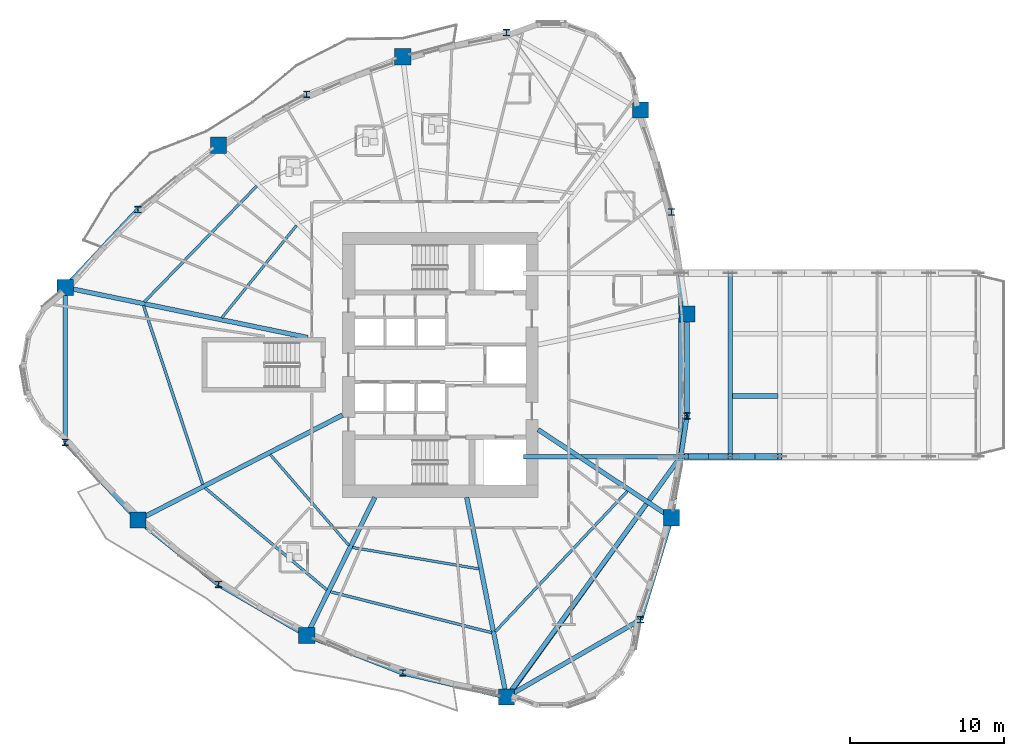
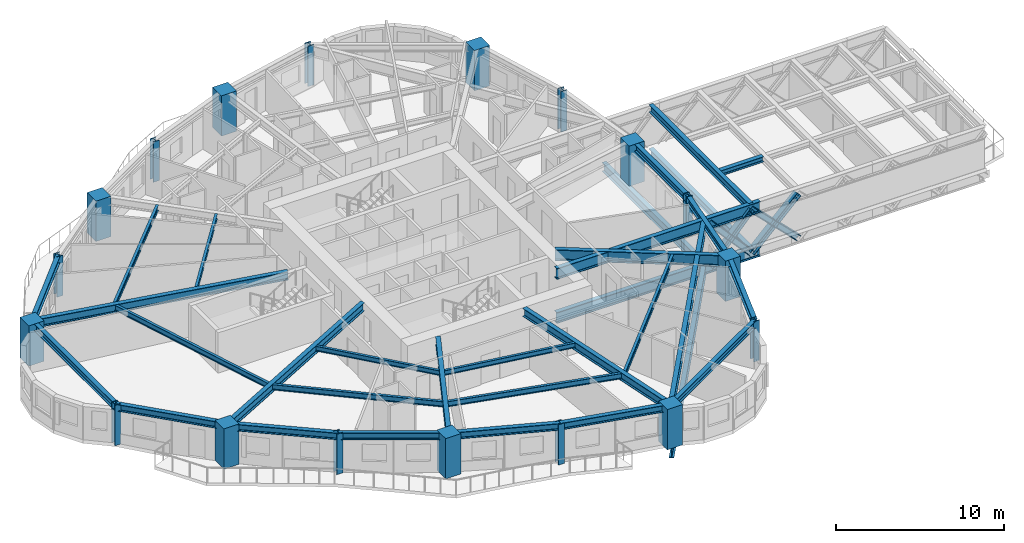
# One storey, part 1 of 18: 31 beams, 18 columns, 5 members.
"""IFC4 building model written with IfcOpenShell, lengths in metres."""

from ifc_helpers import new_model, si_unit, direction, frame, origin, origin_2d, place, context, subcontext, project, spatial, rectangle, i_section, extrude, source, transform, mapped, material, material_profile, profile_set, type_object, element, save


model = new_model("IFC4")

# Units and contexts
model_context = context("Model", 3, precision=1e-05, world=origin(), true_north=direction((0.0, 1.0)))
body_context = subcontext(model_context, "Body", "Model", "MODEL_VIEW")
ifc_project = project(units=[si_unit("LENGTHUNIT", "METRE"), si_unit("AREAUNIT", "SQUARE_METRE"), si_unit("VOLUMEUNIT", "CUBIC_METRE"), si_unit("PLANEANGLEUNIT", "RADIAN"), si_unit("MASSUNIT", "GRAM", prefix="KILO")], contexts=[model_context])

# Site, building, storey
site_placement = place(None, origin())
site = spatial("IfcSite", under=ifc_project, at=site_placement, CompositionType="ELEMENT")
building_placement = place(site_placement, origin())
building = spatial("IfcBuilding", under=site, at=building_placement, Name="Qafzar Sky-Pleat Residences", CompositionType="ELEMENT")
storey_placement = place(building_placement, frame((0.0, 0.0, 27.0)))
storey = spatial("IfcBuildingStorey", under=building, at=storey_placement, Name="L07", CompositionType="ELEMENT", Elevation=27.0)

# Columns
ifc_material_1 = material(Name="Concrete C60/75", Category="concrete")
ifc_material_profile_1 = material_profile(ifc_material_1, rectangle(XDim=1.050048828125, YDim=1.050048828125, at=origin_2d()), Name="RC 1050x1050")
ifc_profile_set_1 = profile_set([ifc_material_profile_1], Name="Concrete C60/75")
column_type_1 = type_object("IfcColumnType", Name="COL-RC-1050", PredefinedType="COLUMN", material=ifc_profile_set_1)
shared_shape_1 = source(origin(), body_context, "Body", "SweptSolid", [
    extrude(rectangle(XDim=1.050048828125, YDim=1.050048828125, at=origin_2d()), origin(), (0.0, 0.0, 1.0), 2.93505859375),
])
for number, where, z_axis, x_axis, name in (
    (1, (6.010009765625, 31.02294921875, 0.0), (0.0, 0.0, 1.0), (1.0, 0.0, 0.0), "L07 Perimeter Mega Column 1"),
    (2, (10.731689453125, 15.9296875, 0.0), (0.0, 0.0, 1.0), (1.0, 0.0, 0.0), "L07 Perimeter Mega Column 3"),
    (3, (21.68310546875, 8.446044921875, 0.0), (0.0, 0.0, 1.0), (1.0, 0.0, 0.0), "L07 Perimeter Mega Column 5"),
    (4, (34.64501953125, 4.444580078125, 0.0), (0.0, 0.0, 1.0), (1.0, 0.0, 0.0), "L07 Perimeter Mega Column 7"),
    (5, (45.355224609375, 16.08056640625, 0.0), (0.0, 0.0, 1.0), (1.0, 0.0, 0.0), "L07 Perimeter Mega Column 9"),
    (6, (46.360595703125, 29.306396484375, 0.0), (0.0, 0.0, 1.0), (1.0, 0.0, 0.0), "L07 Perimeter Mega Column 11"),
    (7, (43.344970703125, 42.532470703125, 0.0), (0.0, 0.0, 1.0), (1.0, 0.0, 0.0), "L07 Perimeter Mega Column 13"),
    (8, (27.912841796875, 45.989990234375, 0.0), (0.0, 0.0, 1.0), (1.0, 0.0, 0.0), "L07 Perimeter Mega Column 15"),
    (9, (15.956298828125, 40.247314453125, 0.0), (0.0, 0.0, 1.0), (1.0, 0.0, 0.0), "L07 Perimeter Mega Column 17"),
):
    element("IfcColumn", number, at=place(storey_placement, frame(where, z_axis=z_axis, x_axis=x_axis)), inside=storey, type_object=column_type_1, Name=name, PredefinedType="COLUMN", context=body_context, shape_type="MappedRepresentation", body=[
        mapped(shared_shape_1, transform((0.0, 0.0, 0.0), x_axis=(1.0, 0.0, 0.0), y_axis=(0.0, 1.0, 0.0), z_axis=(0.0, 0.0, 1.0), scale=1.0)),
    ])
ifc_material_2 = material(Name="Steel S460", Category="steel")
ifc_material_profile_2 = material_profile(ifc_material_2, i_section(OverallWidth=0.408935546875, OverallDepth=0.425048828125, WebThickness=0.030029296875, FlangeThickness=0.048095703125, FilletRadius=0.014892578125, at=origin_2d()), Name="HD 400x421")
ifc_profile_set_2 = profile_set([ifc_material_profile_2], Name="Steel S460")
column_type_2 = type_object("IfcColumnType", Name="COL-STL-HD421", PredefinedType="PILASTER", material=ifc_profile_set_2)
shared_shape_2 = source(origin(), body_context, "Body", "SweptSolid", [
    extrude(i_section(OverallWidth=0.408935546875, OverallDepth=0.425048828125, WebThickness=0.030029296875, FlangeThickness=0.048095703125, FilletRadius=0.014892578125, at=origin_2d()), origin(), (0.0, 0.0, 1.0), 2.93505859375),
])
for number, where, z_axis, x_axis, name in (
    (10, (6.010009765625, 20.97705078125, 0.0), (0.0, 0.0, 1.0), (1.0, 0.0, 0.0), "L07 Perimeter Mega Column 2"),
    (11, (15.956298828125, 11.752685546875, 0.0), (0.0, 0.0, 1.0), (1.0, 0.0, 0.0), "L07 Perimeter Mega Column 4"),
    (12, (27.912841796875, 6.010009765625, 0.0), (0.0, 0.0, 1.0), (1.0, 0.0, 0.0), "L07 Perimeter Mega Column 6"),
    (13, (43.344970703125, 9.467529296875, 0.0), (0.0, 0.0, 1.0), (1.0, 0.0, 0.0), "L07 Perimeter Mega Column 8"),
    (14, (46.360595703125, 22.693603515625, 0.0), (0.0, 0.0, 1.0), (1.0, 0.0, 0.0), "L07 Perimeter Mega Column 10"),
    (15, (45.355224609375, 35.91943359375, 0.0), (0.0, 0.0, 1.0), (1.0, 0.0, 0.0), "L07 Perimeter Mega Column 12"),
    (16, (34.64501953125, 47.555419921875, 0.0), (0.0, 0.0, 1.0), (1.0, 0.0, 0.0), "L07 Perimeter Mega Column 14"),
    (17, (21.68310546875, 43.553955078125, 0.0), (0.0, 0.0, 1.0), (1.0, 0.0, 0.0), "L07 Perimeter Mega Column 16"),
    (18, (10.731689453125, 36.0703125, 0.0), (0.0, 0.0, 1.0), (1.0, 0.0, 0.0), "L07 Perimeter Mega Column 18"),
):
    element("IfcColumn", number, at=place(storey_placement, frame(where, z_axis=z_axis, x_axis=x_axis)), inside=storey, type_object=column_type_2, Name=name, PredefinedType="PILASTER", context=body_context, shape_type="MappedRepresentation", body=[
        mapped(shared_shape_2, transform((0.0, 0.0, 0.0), x_axis=(1.0, 0.0, 0.0), y_axis=(0.0, 1.0, 0.0), z_axis=(0.0, 0.0, 1.0), scale=1.0)),
    ])

# Beams
ifc_material_3 = material(Name="Steel S355", Category="steel")
ifc_material_profile_3 = material_profile(ifc_material_3, i_section(OverallWidth=0.300048828125, OverallDepth=0.5, WebThickness=0.014404296875, FlangeThickness=0.028076171875, FilletRadius=0.027099609375, at=origin_2d()), Name="HEB 500")
ifc_profile_set_3 = profile_set([ifc_material_profile_3], Name="Steel S355")
beam_type_1 = type_object("IfcBeamType", Name="BM-SPAN-HEB500", PredefinedType="SPANDREL", material=ifc_profile_set_3)
shared_shape_3 = source(origin(), body_context, "Body", "SweptSolid", [
    extrude(i_section(OverallWidth=0.300048828125, OverallDepth=0.5, WebThickness=0.014404296875, FlangeThickness=0.028076171875, FilletRadius=0.027099609375, at=origin_2d()), origin(), (0.0, 0.0, 1.0), 10.0458984375),
])
for number, where, z_axis, x_axis, name in (
    (19, (6.010009765625, 31.02294921875, 2.68310546875), (0.0, -1.0, 0.0), (1.0, 0.0, 0.0), "L07 Perimeter Spandrel Beam 1"),
    (20, (34.64501953125, 4.444580078125, 2.68310546875), (0.866024107753, 0.500002244785, 0.0), (-0.500002244785, 0.866024107753, 0.0), "L07 Perimeter Spandrel Beam 7"),
):
    element("IfcBeam", number, at=place(storey_placement, frame(where, z_axis=z_axis, x_axis=x_axis)), inside=storey, type_object=beam_type_1, Name=name, PredefinedType="SPANDREL", context=body_context, shape_type="MappedRepresentation", body=[
        mapped(shared_shape_3, transform((0.0, 0.0, 0.0), x_axis=(1.0, 0.0, 0.0), y_axis=(0.0, 1.0, 0.0), z_axis=(0.0, 0.0, 1.0), scale=1.0)),
    ])
shared_shape_4 = source(origin(), body_context, "Body", "SweptSolid", [
    extrude(i_section(OverallWidth=0.300048828125, OverallDepth=0.5, WebThickness=0.014404296875, FlangeThickness=0.028076171875, FilletRadius=0.027099609375, at=origin_2d()), origin(), (0.0, 0.0, 1.0), 6.91162109375),
])
for number, where, z_axis, x_axis, name in (
    (21, (6.010009765625, 20.97705078125, 2.68310546875), (0.683153482739, -0.73027482431, 0.0), (0.73027482431, 0.683153482739, 0.0), "L07 Perimeter Spandrel Beam 2"),
    (22, (10.731689453125, 36.0703125, 2.68310546875), (-0.683153482739, -0.73027482431, 0.0), (0.73027482431, -0.683153482739, 0.0), "L07 Perimeter Spandrel Beam 18"),
):
    element("IfcBeam", number, at=place(storey_placement, frame(where, z_axis=z_axis, x_axis=x_axis)), inside=storey, type_object=beam_type_1, Name=name, PredefinedType="SPANDREL", context=body_context, shape_type="MappedRepresentation", body=[
        mapped(shared_shape_4, transform((0.0, 0.0, 0.0), x_axis=(1.0, 0.0, 0.0), y_axis=(0.0, 1.0, 0.0), z_axis=(0.0, 0.0, 1.0), scale=1.0)),
    ])
shared_shape_5 = source(origin(), body_context, "Body", "SweptSolid", [
    extrude(i_section(OverallWidth=0.300048828125, OverallDepth=0.5, WebThickness=0.014404296875, FlangeThickness=0.028076171875, FilletRadius=0.027099609375, at=origin_2d()), origin(), (0.0, 0.0, 1.0), 6.689208984375),
])
beam_1_placement = place(storey_placement, frame((10.731689453125, 15.9296875, 2.68310546875), z_axis=(0.781064615855, -0.624450210872, 0.0), x_axis=(0.624450210872, 0.781064615855, 0.0)))
element("IfcBeam", 23, at=beam_1_placement, inside=storey, type_object=beam_type_1, Name="L07 Perimeter Spandrel Beam 3", PredefinedType="SPANDREL", context=body_context, shape_type="MappedRepresentation", body=[
    mapped(shared_shape_5, transform((0.0, 0.0, 0.0), x_axis=(1.0, 0.0, 0.0), y_axis=(0.0, 1.0, 0.0), z_axis=(0.0, 0.0, 1.0), scale=1.0)),
])
shared_shape_6 = source(origin(), body_context, "Body", "SweptSolid", [
    extrude(i_section(OverallWidth=0.300048828125, OverallDepth=0.5, WebThickness=0.014404296875, FlangeThickness=0.028076171875, FilletRadius=0.027099609375, at=origin_2d()), origin(), (0.0, 0.0, 1.0), 6.61279296875),
])
for number, where, z_axis, x_axis, name in (
    (24, (15.956298828125, 11.752685546875, 2.68310546875), (0.866007902399, -0.500030312064, 0.0), (0.500030312064, 0.866007902399, 0.0), "L07 Perimeter Spandrel Beam 4"),
    (25, (46.360595703125, 22.693603515625, 2.68310546875), (0.0, 1.0, 0.0), (-1.0, 0.0, 0.0), "L07 Perimeter Spandrel Beam 10"),
):
    element("IfcBeam", number, at=place(storey_placement, frame(where, z_axis=z_axis, x_axis=x_axis)), inside=storey, type_object=beam_type_1, Name=name, PredefinedType="SPANDREL", context=body_context, shape_type="MappedRepresentation", body=[
        mapped(shared_shape_6, transform((0.0, 0.0, 0.0), x_axis=(1.0, 0.0, 0.0), y_axis=(0.0, 1.0, 0.0), z_axis=(0.0, 0.0, 1.0), scale=1.0)),
    ])
shared_shape_7 = source(origin(), body_context, "Body", "SweptSolid", [
    extrude(i_section(OverallWidth=0.300048828125, OverallDepth=0.5, WebThickness=0.014404296875, FlangeThickness=0.028076171875, FilletRadius=0.027099609375, at=origin_2d()), origin(), (0.0, 0.0, 1.0), 6.68896484375),
])
for number, where, z_axis, x_axis, name in (
    (26, (21.68310546875, 8.446044921875, 2.68310546875), (0.931328375536, -0.364180527927, 0.0), (0.364180527927, 0.931328375536, 0.0), "L07 Perimeter Spandrel Beam 5"),
    (27, (45.355224609375, 16.08056640625, 2.68310546875), (0.150301631431, 0.98864018712, 0.0), (-0.98864018712, 0.150301631431, 0.0), "L07 Perimeter Spandrel Beam 9"),
):
    element("IfcBeam", number, at=place(storey_placement, frame(where, z_axis=z_axis, x_axis=x_axis)), inside=storey, type_object=beam_type_1, Name=name, PredefinedType="SPANDREL", context=body_context, shape_type="MappedRepresentation", body=[
        mapped(shared_shape_7, transform((0.0, 0.0, 0.0), x_axis=(1.0, 0.0, 0.0), y_axis=(0.0, 1.0, 0.0), z_axis=(0.0, 0.0, 1.0), scale=1.0)),
    ])
shared_shape_8 = source(origin(), body_context, "Body", "SweptSolid", [
    extrude(i_section(OverallWidth=0.300048828125, OverallDepth=0.5, WebThickness=0.014404296875, FlangeThickness=0.028076171875, FilletRadius=0.027099609375, at=origin_2d()), origin(), (0.0, 0.0, 1.0), 6.911865234375),
])
for number, where, z_axis, x_axis, name in (
    (28, (27.912841796875, 6.010009765625, 2.68310546875), (0.97401418861, -0.226486998273, 0.0), (0.226486998273, 0.97401418861, 0.0), "L07 Perimeter Spandrel Beam 6"),
    (29, (43.344970703125, 9.467529296875, 2.68310546875), (0.290842539179, 0.956770932566, 0.0), (-0.956770932566, 0.290842539179, 0.0), "L07 Perimeter Spandrel Beam 8"),
):
    element("IfcBeam", number, at=place(storey_placement, frame(where, z_axis=z_axis, x_axis=x_axis)), inside=storey, type_object=beam_type_1, Name=name, PredefinedType="SPANDREL", context=body_context, shape_type="MappedRepresentation", body=[
        mapped(shared_shape_8, transform((0.0, 0.0, 0.0), x_axis=(1.0, 0.0, 0.0), y_axis=(0.0, 1.0, 0.0), z_axis=(0.0, 0.0, 1.0), scale=1.0)),
    ])
ifc_material_profile_4 = material_profile(ifc_material_3, i_section(OverallWidth=0.300048828125, OverallDepth=0.60009765625, WebThickness=0.015380859375, FlangeThickness=0.030029296875, FilletRadius=0.027099609375, at=origin_2d()), Name="HEB 600")
ifc_profile_set_4 = profile_set([ifc_material_profile_4], Name="Steel S355")
beam_type_2 = type_object("IfcBeamType", Name="BM-GIRD-HEB600", PredefinedType="BEAM", material=ifc_profile_set_4)
shared_shape_9 = source(origin(), body_context, "Body", "SweptSolid", [
    extrude(i_section(OverallWidth=0.300048828125, OverallDepth=0.60009765625, WebThickness=0.015380859375, FlangeThickness=0.030029296875, FilletRadius=0.027099609375, at=origin_2d()), origin(), (0.0, 0.0, 1.0), 16.0703125),
])
beam_2_placement = place(storey_placement, frame((6.010009765625, 31.02294921875, 2.633056640625), z_axis=(0.979362152627, -0.202113270228, 0.0), x_axis=(0.202113270228, 0.979362152627, 0.0)))
element("IfcBeam", 30, at=beam_2_placement, inside=storey, type_object=beam_type_2, Name="L07 Radial Floor Girder 1", PredefinedType="BEAM", context=body_context, shape_type="MappedRepresentation", body=[
    mapped(shared_shape_9, transform((0.0, 0.0, 0.0), x_axis=(1.0, 0.0, 0.0), y_axis=(0.0, 1.0, 0.0), z_axis=(0.0, 0.0, 1.0), scale=1.0)),
])
shared_shape_10 = source(origin(), body_context, "Body", "SweptSolid", [
    extrude(i_section(OverallWidth=0.300048828125, OverallDepth=0.60009765625, WebThickness=0.015380859375, FlangeThickness=0.030029296875, FilletRadius=0.027099609375, at=origin_2d()), origin(), (0.0, 0.0, 1.0), 14.914306640625),
])
beam_3_placement = place(storey_placement, frame((10.731689453125, 15.9296875, 2.633056640625), z_axis=(0.8896396388, 0.456663238148, 0.0), x_axis=(-0.456663238148, 0.8896396388, 0.0)))
element("IfcBeam", 31, at=beam_3_placement, inside=storey, type_object=beam_type_2, Name="L07 Radial Floor Girder 3", PredefinedType="BEAM", context=body_context, shape_type="MappedRepresentation", body=[
    mapped(shared_shape_10, transform((0.0, 0.0, 0.0), x_axis=(1.0, 0.0, 0.0), y_axis=(0.0, 1.0, 0.0), z_axis=(0.0, 0.0, 1.0), scale=1.0)),
])
shared_shape_11 = source(origin(), body_context, "Body", "SweptSolid", [
    extrude(i_section(OverallWidth=0.300048828125, OverallDepth=0.60009765625, WebThickness=0.015380859375, FlangeThickness=0.030029296875, FilletRadius=0.027099609375, at=origin_2d()), origin(), (0.0, 0.0, 1.0), 9.98583984375),
])
beam_4_placement = place(storey_placement, frame((21.68310546875, 8.446044921875, 2.633056640625), z_axis=(0.442719160925, 0.896660328413, 0.0), x_axis=(-0.896660328413, 0.442719160925, 0.0)))
element("IfcBeam", 32, at=beam_4_placement, inside=storey, type_object=beam_type_2, Name="L07 Radial Floor Girder 5", PredefinedType="BEAM", context=body_context, shape_type="MappedRepresentation", body=[
    mapped(shared_shape_11, transform((0.0, 0.0, 0.0), x_axis=(1.0, 0.0, 0.0), y_axis=(0.0, 1.0, 0.0), z_axis=(0.0, 0.0, 1.0), scale=1.0)),
])
shared_shape_12 = source(origin(), body_context, "Body", "SweptSolid", [
    extrude(i_section(OverallWidth=0.300048828125, OverallDepth=0.60009765625, WebThickness=0.015380859375, FlangeThickness=0.030029296875, FilletRadius=0.027099609375, at=origin_2d()), origin(), (0.0, 0.0, 1.0), 13.2099609375),
])
beam_5_placement = place(storey_placement, frame((34.64501953125, 4.444580078125, 2.633056640625), z_axis=(-0.195405255392, 0.980722583693, 0.0), x_axis=(-0.980722583693, -0.195405255392, 0.0)))
element("IfcBeam", 33, at=beam_5_placement, inside=storey, type_object=beam_type_2, Name="L07 Radial Floor Girder 7", PredefinedType="BEAM", context=body_context, shape_type="MappedRepresentation", body=[
    mapped(shared_shape_12, transform((0.0, 0.0, 0.0), x_axis=(1.0, 0.0, 0.0), y_axis=(0.0, 1.0, 0.0), z_axis=(0.0, 0.0, 1.0), scale=1.0)),
])
ifc_material_profile_5 = material_profile(ifc_material_2, i_section(OverallWidth=0.300048828125, OverallDepth=0.800048828125, WebThickness=0.017578125, FlangeThickness=0.032958984375, FilletRadius=0.030029296875, at=origin_2d()), Name="HEB 800")
ifc_profile_set_5 = profile_set([ifc_material_profile_5], Name="Steel S460")
beam_type_3 = type_object("IfcBeamType", Name="BM-CHORD-HEB800", PredefinedType="BEAM", material=ifc_profile_set_5)
shared_shape_13 = source(origin(), body_context, "Body", "SweptSolid", [
    extrude(i_section(OverallWidth=0.300048828125, OverallDepth=0.800048828125, WebThickness=0.017578125, FlangeThickness=0.032958984375, FilletRadius=0.030029296875, at=origin_2d()), origin(), (0.0, 0.0, 1.0), 10.37548828125),
])
beam_6_placement = place(storey_placement, frame((45.355224609375, 16.08056640625, 2.532958984375), z_axis=(-0.834201561664, 0.551459658105, 0.0), x_axis=(-0.551459658105, -0.834201561664, 0.0)))
element("IfcBeam", 34, at=beam_6_placement, inside=storey, type_object=beam_type_3, Name="L07 Radial Floor Girder 9", PredefinedType="BEAM", context=body_context, shape_type="MappedRepresentation", body=[
    mapped(shared_shape_13, transform((0.0, 0.0, 0.0), x_axis=(1.0, 0.0, 0.0), y_axis=(0.0, 1.0, 0.0), z_axis=(0.0, 0.0, 1.0), scale=1.0)),
])
ifc_material_profile_6 = material_profile(ifc_material_3, i_section(OverallWidth=0.179931640625, OverallDepth=0.39990234375, WebThickness=0.008544921875, FlangeThickness=0.013427734375, FilletRadius=0.02099609375, at=origin_2d()), Name="IPE 400")
ifc_profile_set_6 = profile_set([ifc_material_profile_6], Name="Steel S355")
beam_type_4 = type_object("IfcBeamType", Name="BM-JST-IPE400", PredefinedType="JOIST", material=ifc_profile_set_6)
shared_shape_14 = source(origin(), body_context, "Body", "SweptSolid", [
    extrude(i_section(OverallWidth=0.179931640625, OverallDepth=0.39990234375, WebThickness=0.008544921875, FlangeThickness=0.013427734375, FilletRadius=0.02099609375, at=origin_2d()), origin(), (0.0, 0.0, 1.0), 12.23828125),
])
beam_7_placement = place(storey_placement, frame((11.0888671875, 29.85546875, 2.73291015625), z_axis=(0.31429406639, -0.949325676379, 0.0), x_axis=(0.949325676379, 0.31429406639, 0.0)))
element("IfcBeam", 35, at=beam_7_placement, inside=storey, type_object=beam_type_4, Name="L07 Outer Secondary Floor Joist 1", PredefinedType="JOIST", context=body_context, shape_type="MappedRepresentation", body=[
    mapped(shared_shape_14, transform((0.0, 0.0, 0.0), x_axis=(1.0, 0.0, 0.0), y_axis=(0.0, 1.0, 0.0), z_axis=(0.0, 0.0, 1.0), scale=1.0)),
])
shared_shape_15 = source(origin(), body_context, "Body", "SweptSolid", [
    extrude(i_section(OverallWidth=0.179931640625, OverallDepth=0.39990234375, WebThickness=0.008544921875, FlangeThickness=0.013427734375, FilletRadius=0.02099609375, at=origin_2d()), origin(), (0.0, 0.0, 1.0), 10.320068359375),
])
beam_8_placement = place(storey_placement, frame((15.0810546875, 18.0224609375, 2.73291015625), z_axis=(0.766786376257, -0.641902370448, 0.0), x_axis=(0.641902370448, 0.766786376257, 0.0)))
element("IfcBeam", 36, at=beam_8_placement, inside=storey, type_object=beam_type_4, Name="L07 Outer Secondary Floor Joist 2", PredefinedType="JOIST", context=body_context, shape_type="MappedRepresentation", body=[
    mapped(shared_shape_15, transform((0.0, 0.0, 0.0), x_axis=(1.0, 0.0, 0.0), y_axis=(0.0, 1.0, 0.0), z_axis=(0.0, 0.0, 1.0), scale=1.0)),
])
shared_shape_16 = source(origin(), body_context, "Body", "SweptSolid", [
    extrude(i_section(OverallWidth=0.179931640625, OverallDepth=0.39990234375, WebThickness=0.008544921875, FlangeThickness=0.013427734375, FilletRadius=0.02099609375, at=origin_2d()), origin(), (0.0, 0.0, 1.0), 10.790771484375),
])
beam_9_placement = place(storey_placement, frame((23.228759765625, 11.278076171875, 2.73291015625), z_axis=(0.969269912633, -0.24599966761, 0.0), x_axis=(0.24599966761, 0.969269912633, 0.0)))
element("IfcBeam", 37, at=beam_9_placement, inside=storey, type_object=beam_type_4, Name="L07 Outer Secondary Floor Joist 3", PredefinedType="JOIST", context=body_context, shape_type="MappedRepresentation", body=[
    mapped(shared_shape_16, transform((0.0, 0.0, 0.0), x_axis=(1.0, 0.0, 0.0), y_axis=(0.0, 1.0, 0.0), z_axis=(0.0, 0.0, 1.0), scale=1.0)),
])
shared_shape_17 = source(origin(), body_context, "Body", "SweptSolid", [
    extrude(i_section(OverallWidth=0.179931640625, OverallDepth=0.39990234375, WebThickness=0.008544921875, FlangeThickness=0.013427734375, FilletRadius=0.02099609375, at=origin_2d()), origin(), (0.0, 0.0, 1.0), 12.52587890625),
])
beam_10_placement = place(storey_placement, frame((33.911376953125, 8.688720703125, 2.73291015625), z_axis=(0.685120864749, 0.728429406796, 0.0), x_axis=(-0.728429406796, 0.685120864749, 0.0)))
element("IfcBeam", 38, at=beam_10_placement, inside=storey, type_object=beam_type_4, Name="L07 Outer Secondary Floor Joist 4", PredefinedType="JOIST", context=body_context, shape_type="MappedRepresentation", body=[
    mapped(shared_shape_17, transform((0.0, 0.0, 0.0), x_axis=(1.0, 0.0, 0.0), y_axis=(0.0, 1.0, 0.0), z_axis=(0.0, 0.0, 1.0), scale=1.0)),
])
shared_shape_18 = source(origin(), body_context, "Body", "SweptSolid", [
    extrude(i_section(OverallWidth=0.179931640625, OverallDepth=0.39990234375, WebThickness=0.008544921875, FlangeThickness=0.013427734375, FilletRadius=0.02099609375, at=origin_2d()), origin(), (0.0, 0.0, 1.0), 10.479248046875),
])
beam_11_placement = place(storey_placement, frame((18.436279296875, 37.602783203125, 2.73291015625), z_axis=(-0.696225879391, -0.71782276703, 0.0), x_axis=(0.71782276703, -0.696225879391, 0.0)))
element("IfcBeam", 39, at=beam_11_placement, inside=storey, type_object=beam_type_4, Name="L07 Outer Secondary Floor Joist 9", PredefinedType="JOIST", context=body_context, shape_type="MappedRepresentation", body=[
    mapped(shared_shape_18, transform((0.0, 0.0, 0.0), x_axis=(1.0, 0.0, 0.0), y_axis=(0.0, 1.0, 0.0), z_axis=(0.0, 0.0, 1.0), scale=1.0)),
])
ifc_material_profile_7 = material_profile(ifc_material_3, i_section(OverallWidth=0.169921875, OverallDepth=0.360107421875, WebThickness=0.008056640625, FlangeThickness=0.0126953125, FilletRadius=0.01806640625, at=origin_2d()), Name="IPE 360")
ifc_profile_set_7 = profile_set([ifc_material_profile_7], Name="Steel S355")
beam_type_5 = type_object("IfcBeamType", Name="BM-JST-IPE360", PredefinedType="JOIST", material=ifc_profile_set_7)
shared_shape_19 = source(origin(), body_context, "Body", "SweptSolid", [
    extrude(i_section(OverallWidth=0.169921875, OverallDepth=0.360107421875, WebThickness=0.008056640625, FlangeThickness=0.0126953125, FilletRadius=0.01806640625, at=origin_2d()), origin(), (0.0, 0.0, 1.0), 7.8125),
])
beam_12_placement = place(storey_placement, frame((19.311767578125, 20.186279296875, 2.7529296875), z_axis=(0.654399766745, -0.7561487587, 0.0), x_axis=(0.7561487587, 0.654399766745, 0.0)))
element("IfcBeam", 40, at=beam_12_placement, inside=storey, type_object=beam_type_5, Name="L07 Inner Secondary Floor Joist 2", PredefinedType="JOIST", context=body_context, shape_type="MappedRepresentation", body=[
    mapped(shared_shape_19, transform((0.0, 0.0, 0.0), x_axis=(1.0, 0.0, 0.0), y_axis=(0.0, 1.0, 0.0), z_axis=(0.0, 0.0, 1.0), scale=1.0)),
])
shared_shape_20 = source(origin(), body_context, "Body", "SweptSolid", [
    extrude(i_section(OverallWidth=0.169921875, OverallDepth=0.360107421875, WebThickness=0.008056640625, FlangeThickness=0.0126953125, FilletRadius=0.01806640625, at=origin_2d()), origin(), (0.0, 0.0, 1.0), 8.33203125),
])
beam_13_placement = place(storey_placement, frame((24.6455078125, 14.154052734375, 2.7529296875), z_axis=(0.985879172395, -0.167458225948, 0.0), x_axis=(0.167458225948, 0.985879172395, 0.0)))
element("IfcBeam", 41, at=beam_13_placement, inside=storey, type_object=beam_type_5, Name="L07 Inner Secondary Floor Joist 3", PredefinedType="JOIST", context=body_context, shape_type="MappedRepresentation", body=[
    mapped(shared_shape_20, transform((0.0, 0.0, 0.0), x_axis=(1.0, 0.0, 0.0), y_axis=(0.0, 1.0, 0.0), z_axis=(0.0, 0.0, 1.0), scale=1.0)),
])
shared_shape_21 = source(origin(), body_context, "Body", "SweptSolid", [
    extrude(i_section(OverallWidth=0.169921875, OverallDepth=0.360107421875, WebThickness=0.008056640625, FlangeThickness=0.0126953125, FilletRadius=0.01806640625, at=origin_2d()), origin(), (0.0, 0.0, 1.0), 7.714111328125),
])
beam_14_placement = place(storey_placement, frame((21.019287109375, 35.046875, 2.7529296875), z_axis=(-0.628915953296, -0.777473294519, 0.0), x_axis=(0.777473294519, -0.628915953296, 0.0)))
element("IfcBeam", 42, at=beam_14_placement, inside=storey, type_object=beam_type_5, Name="L07 Inner Secondary Floor Joist 9", PredefinedType="JOIST", context=body_context, shape_type="MappedRepresentation", body=[
    mapped(shared_shape_21, transform((0.0, 0.0, 0.0), x_axis=(1.0, 0.0, 0.0), y_axis=(0.0, 1.0, 0.0), z_axis=(0.0, 0.0, 1.0), scale=1.0)),
])
shared_shape_22 = source(origin(), body_context, "Body", "SweptSolid", [
    extrude(i_section(OverallWidth=0.300048828125, OverallDepth=0.800048828125, WebThickness=0.017578125, FlangeThickness=0.032958984375, FilletRadius=0.030029296875, at=origin_2d()), origin(), (0.0, 0.0, 1.0), 14.0048828125),
])
for number, where, z_axis, x_axis, name in (
    (43, (35.75, 20.050048828125, 2.532958984375), (1.0, 0.0, 0.0), (0.0, 1.0, 0.0), "L07 SB-1 Truss Chord R1"),
    (44, (35.75, 20.050048828125, -0.6669921875), (1.0, 0.0, 0.0), (0.0, 1.0, 0.0), "L07 SB-1 Bottom Chord R1"),
):
    element("IfcBeam", number, at=place(storey_placement, frame(where, z_axis=z_axis, x_axis=x_axis)), inside=storey, type_object=beam_type_3, Name=name, PredefinedType="BEAM", context=body_context, shape_type="MappedRepresentation", body=[
        mapped(shared_shape_22, transform((0.0, 0.0, 0.0), x_axis=(1.0, 0.0, 0.0), y_axis=(0.0, 1.0, 0.0), z_axis=(0.0, 0.0, 1.0), scale=1.0)),
    ])

# Members
ifc_material_profile_8 = material_profile(ifc_material_2, i_section(OverallWidth=0.300048828125, OverallDepth=0.64990234375, WebThickness=0.01611328125, FlangeThickness=0.031005859375, FilletRadius=0.027099609375, at=origin_2d()), Name="HEB 650")
ifc_profile_set_8 = profile_set([ifc_material_profile_8], Name="Steel S460")
member_type_1 = type_object("IfcMemberType", Name="MEM-SB-CHORD", PredefinedType="CHORD", material=ifc_profile_set_8)
shared_shape_23 = source(origin(), body_context, "Body", "SweptSolid", [
    extrude(i_section(OverallWidth=0.300048828125, OverallDepth=0.64990234375, WebThickness=0.01611328125, FlangeThickness=0.031005859375, FilletRadius=0.027099609375, at=origin_2d()), origin(), (0.0, 0.0, 1.0), 11.89990234375),
])
member_placement = place(storey_placement, frame((45.949951171875, 31.949951171875, -0.47705078125), z_axis=(0.0, -1.0, 0.0), x_axis=(1.0, 0.0, 0.0)))
element("IfcMember", 45, at=member_placement, inside=storey, type_object=member_type_1, Name="L07 SB-1 Truss Root Tie Chord", PredefinedType="CHORD", context=body_context, shape_type="MappedRepresentation", body=[
    mapped(shared_shape_23, transform((0.0, 0.0, 0.0), x_axis=(1.0, 0.0, 0.0), y_axis=(0.0, 1.0, 0.0), z_axis=(0.0, 0.0, 1.0), scale=1.0)),
])
ifc_material_profile_9 = material_profile(ifc_material_2, i_section(OverallWidth=0.40087890625, OverallDepth=0.39892578125, WebThickness=0.02294921875, FlangeThickness=0.035888671875, FilletRadius=0.014892578125, at=origin_2d()), Name="HD 400x314")
ifc_profile_set_9 = profile_set([ifc_material_profile_9], Name="Steel S460")
member_type_2 = type_object("IfcMemberType", Name="MEM-SB-DIAG", PredefinedType="BRACE", material=ifc_profile_set_9)
shared_shape_24 = source(origin(), body_context, "Body", "SweptSolid", [
    extrude(i_section(OverallWidth=0.40087890625, OverallDepth=0.39892578125, WebThickness=0.02294921875, FlangeThickness=0.035888671875, FilletRadius=0.014892578125, at=origin_2d()), origin(), (0.0, 0.0, 1.0), 4.2900390625),
])
for number, where, z_axis, x_axis, name in (
    (46, (46.31005859375, 20.050048828125, -0.6669921875), (0.666057611592, 0.0, 0.745900300336), (0.0, 1.0, 0.0), "L07 SB-1 Truss Web Diagonal R1A"),
    (47, (46.31005859375, 20.050048828125, 2.532958984375), (0.666057611592, 0.0, -0.745900300336), (0.0, 1.0, 0.0), "L07 SB-1 Truss Web Diagonal R1B"),
):
    element("IfcMember", number, at=place(storey_placement, frame(where, z_axis=z_axis, x_axis=x_axis)), inside=storey, type_object=member_type_2, Name=name, PredefinedType="BRACE", context=body_context, shape_type="MappedRepresentation", body=[
        mapped(shared_shape_24, transform((0.0, 0.0, 0.0), x_axis=(1.0, 0.0, 0.0), y_axis=(0.0, 1.0, 0.0), z_axis=(0.0, 0.0, 1.0), scale=1.0)),
    ])
shared_shape_25 = source(origin(), body_context, "Body", "SweptSolid", [
    extrude(i_section(OverallWidth=0.40087890625, OverallDepth=0.39892578125, WebThickness=0.02294921875, FlangeThickness=0.035888671875, FilletRadius=0.014892578125, at=origin_2d()), origin(), (0.0, 0.0, 1.0), 4.53759765625),
])
for number, where, z_axis, x_axis, name in (
    (48, (49.16748046875, 20.050048828125, -0.6669921875), (0.709014203419, 0.0, 0.705194199743), (0.0, 1.0, 0.0), "L07 SB-1 Truss Web Diagonal R2A"),
    (49, (49.16748046875, 20.050048828125, 2.532958984375), (0.709014203419, 0.0, -0.705194199743), (0.0, 1.0, 0.0), "L07 SB-1 Truss Web Diagonal R2B"),
):
    element("IfcMember", number, at=place(storey_placement, frame(where, z_axis=z_axis, x_axis=x_axis)), inside=storey, type_object=member_type_2, Name=name, PredefinedType="BRACE", context=body_context, shape_type="MappedRepresentation", body=[
        mapped(shared_shape_25, transform((0.0, 0.0, 0.0), x_axis=(1.0, 0.0, 0.0), y_axis=(0.0, 1.0, 0.0), z_axis=(0.0, 0.0, 1.0), scale=1.0)),
    ])

# Beams
shared_shape_26 = source(origin(), body_context, "Body", "SweptSolid", [
    extrude(i_section(OverallWidth=0.300048828125, OverallDepth=0.800048828125, WebThickness=0.017578125, FlangeThickness=0.032958984375, FilletRadius=0.030029296875, at=origin_2d()), origin(), (0.0, 0.0, 1.0), 19.27001953125),
])
beam_15_placement = place(storey_placement, frame((34.64501953125, 4.444580078125, 2.532958984375), z_axis=(0.586660264458, 0.809833152017, 0.0), x_axis=(-0.809833152017, 0.586660264458, 0.0)))
element("IfcBeam", 50, at=beam_15_placement, inside=storey, type_object=beam_type_3, Name="L07 SB-1 Wing-Belt Top Chord R", PredefinedType="BEAM", context=body_context, shape_type="MappedRepresentation", body=[
    mapped(shared_shape_26, transform((0.0, 0.0, 0.0), x_axis=(1.0, 0.0, 0.0), y_axis=(0.0, 1.0, 0.0), z_axis=(0.0, 0.0, 1.0), scale=1.0)),
])
shared_shape_27 = source(origin(), body_context, "Body", "SweptSolid", [
    extrude(i_section(OverallWidth=0.300048828125, OverallDepth=0.800048828125, WebThickness=0.017578125, FlangeThickness=0.032958984375, FilletRadius=0.030029296875, at=origin_2d()), origin(), (0.0, 0.0, 1.0), 19.29248046875),
])
beam_16_placement = place(storey_placement, frame((34.672607421875, 4.39697265625, -0.6669921875), z_axis=(0.584548060087, 0.811359085393, 0.0), x_axis=(-0.811359085393, 0.584548060087, 0.0)))
element("IfcBeam", 51, at=beam_16_placement, inside=storey, type_object=beam_type_3, Name="L07 SB-1 Wing-Belt Bottom Chord R", PredefinedType="BEAM", context=body_context, shape_type="MappedRepresentation", body=[
    mapped(shared_shape_27, transform((0.0, 0.0, 0.0), x_axis=(1.0, 0.0, 0.0), y_axis=(0.0, 1.0, 0.0), z_axis=(0.0, 0.0, 1.0), scale=1.0)),
])
ifc_material_profile_10 = material_profile(ifc_material_3, i_section(OverallWidth=0.300048828125, OverallDepth=0.550048828125, WebThickness=0.014892578125, FlangeThickness=0.029052734375, FilletRadius=0.027099609375, at=origin_2d()), Name="HEB 550")
ifc_profile_set_10 = profile_set([ifc_material_profile_10], Name="Steel S355")
beam_type_6 = type_object("IfcBeamType", Name="BM-GIRD-HEB550", PredefinedType="BEAM", material=ifc_profile_set_10)
shared_shape_28 = source(origin(), body_context, "Body", "SweptSolid", [
    extrude(i_section(OverallWidth=0.300048828125, OverallDepth=0.550048828125, WebThickness=0.014892578125, FlangeThickness=0.029052734375, FilletRadius=0.027099609375, at=origin_2d()), origin(), (0.0, 0.0, 1.0), 11.89990234375),
])
for number, where, z_axis, x_axis, name in (
    (52, (49.16748046875, 31.949951171875, 2.657958984375), (0.0, -1.0, 0.0), (1.0, 0.0, 0.0), "L07 SB-1 Transverse Girder 1"),
    (53, (49.16748046875, 31.949951171875, -0.5419921875), (0.0, -1.0, 0.0), (1.0, 0.0, 0.0), "L07 SB-1 Bottom Transverse Girder 1"),
):
    element("IfcBeam", number, at=place(storey_placement, frame(where, z_axis=z_axis, x_axis=x_axis)), inside=storey, type_object=beam_type_6, Name=name, PredefinedType="BEAM", context=body_context, shape_type="MappedRepresentation", body=[
        mapped(shared_shape_28, transform((0.0, 0.0, 0.0), x_axis=(1.0, 0.0, 0.0), y_axis=(0.0, 1.0, 0.0), z_axis=(0.0, 0.0, 1.0), scale=1.0)),
    ])
ifc_material_profile_11 = material_profile(ifc_material_3, i_section(OverallWidth=0.300048828125, OverallDepth=0.389892578125, WebThickness=0.010986328125, FlangeThickness=0.01904296875, FilletRadius=0.027099609375, at=origin_2d()), Name="HEA 400")
ifc_profile_set_11 = profile_set([ifc_material_profile_11], Name="Steel S355")
beam_type_7 = type_object("IfcBeamType", Name="BM-SBJ-HEA400", PredefinedType="JOIST", material=ifc_profile_set_11)
shared_shape_29 = source(origin(), body_context, "Body", "SweptSolid", [
    extrude(i_section(OverallWidth=0.300048828125, OverallDepth=0.389892578125, WebThickness=0.010986328125, FlangeThickness=0.01904296875, FilletRadius=0.027099609375, at=origin_2d()), origin(), (0.0, 0.0, 1.0), 2.947265625),
])
beam_17_placement = place(storey_placement, frame((49.302490234375, 23.97705078125, 2.738037109375), z_axis=(1.0, 0.0, 0.0), x_axis=(0.0, 1.0, 0.0)))
element("IfcBeam", 54, at=beam_17_placement, inside=storey, type_object=beam_type_7, Name="L07 SB-1 Sky-Bar Secondary Deck Joist 2.1", PredefinedType="JOIST", context=body_context, shape_type="MappedRepresentation", body=[
    mapped(shared_shape_29, transform((0.0, 0.0, 0.0), x_axis=(1.0, 0.0, 0.0), y_axis=(0.0, 1.0, 0.0), z_axis=(0.0, 0.0, 1.0), scale=1.0)),
])

save(model, "model.ifc")
